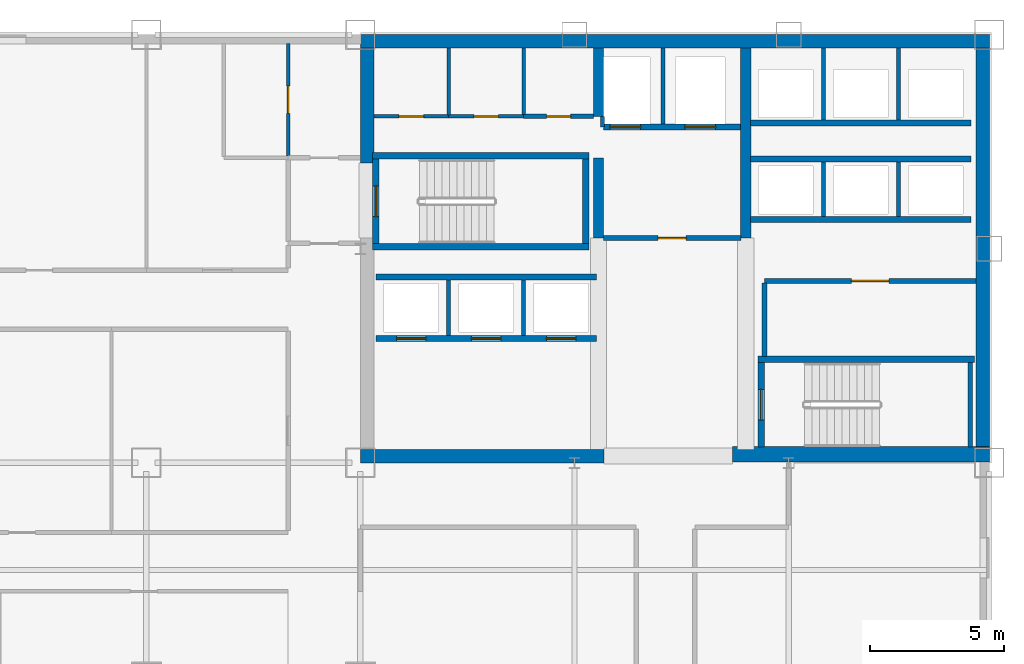
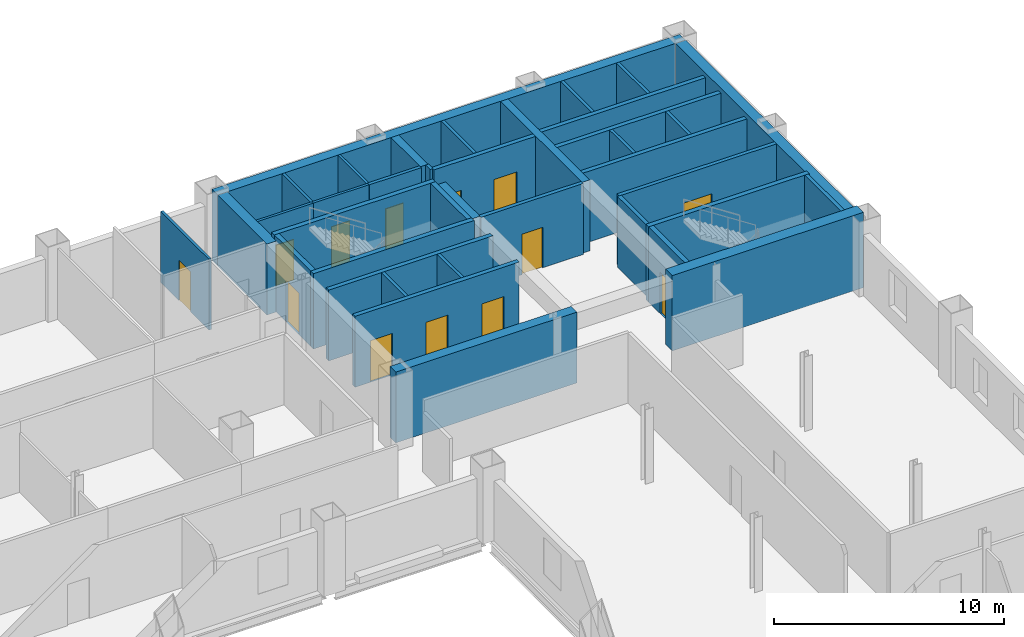
# One storey, part 7 of 10: 38 walls, 13 doors, 13 openings.
"""IFC4 building model written with IfcOpenShell, lengths in metres."""

from ifc_helpers import new_model, si_unit, direction, frame, frame_2d, origin, place, context, subcontext, project, spatial, rectangle, extrude, material, layer, layer_set, type_object, element, fill, save


model = new_model("IFC4")

# Units and contexts
model_context = context("Model", 3, precision=1e-05, world=origin(), true_north=direction((0.0, 1.0)))
body_context = subcontext(model_context, "Body", "Model", "MODEL_VIEW")
ifc_project = project(units=[si_unit("LENGTHUNIT", "METRE"), si_unit("AREAUNIT", "SQUARE_METRE"), si_unit("VOLUMEUNIT", "CUBIC_METRE"), si_unit("PLANEANGLEUNIT", "RADIAN"), si_unit("MASSUNIT", "GRAM", prefix="KILO")], contexts=[model_context])

# Site, building, storey
site_placement = place(None, origin())
site = spatial("IfcSite", under=ifc_project, at=site_placement, CompositionType="ELEMENT")
building_placement = place(site_placement, origin())
building = spatial("IfcBuilding", under=site, at=building_placement, Name="Qianrong Seaharbour Tower", CompositionType="ELEMENT")
storey_placement = place(building_placement, frame((0.0, 0.0, 139.0)))
storey = spatial("IfcBuildingStorey", under=building, at=storey_placement, Name="L33", CompositionType="ELEMENT", Elevation=139.0)

# Walls
ifc_material_1 = material(Name="Concrete C60/75", Category="concrete")
ifc_layer_1 = layer(ifc_material_1, 0.5)
ifc_layer_set_1 = layer_set([ifc_layer_1], Name="Concrete C60/75")
wall_type_1 = type_object("IfcWallType", Name="WALL-CORE-500", PredefinedType="SHEAR", material=ifc_layer_set_1)
wall_1_placement = place(storey_placement, frame((40.5, 51.75, 0.0), z_axis=(0.0, 0.0, 1.0), x_axis=(1.0, 0.0, 0.0)))
element("IfcWall", 1, at=wall_1_placement, inside=storey, type_object=wall_type_1, Name="L33 North Core Shear Wall", PredefinedType="SHEAR", context=body_context, shape_type="SweptSolid", body=[
    extrude(rectangle(XDim=23.5, YDim=0.5, at=frame_2d((11.75, 0.0))), origin(), (0.0, 0.0, 1.0), 3.764892578125),
])
wall_2_placement = place(storey_placement, frame((63.75, 36.320068359375, 0.0), z_axis=(0.0, 0.0, 1.0), x_axis=(0.0, 1.0, 0.0)))
element("IfcWall", 2, at=wall_2_placement, inside=storey, type_object=wall_type_1, Name="L33 East Core Shear Wall", PredefinedType="SHEAR", context=body_context, shape_type="SweptSolid", body=[
    extrude(rectangle(XDim=15.179931640625, YDim=0.5, at=frame_2d((7.58984375, 0.0))), origin(), (0.0, 0.0, 1.0), 3.764892578125),
])
wall_3_placement = place(storey_placement, frame((40.75, 47.199951171875, 0.0), z_axis=(0.0, 0.0, 1.0), x_axis=(0.0, 1.0, 0.0)))
element("IfcWall", 3, at=wall_3_placement, inside=storey, type_object=wall_type_1, Name="L33 West Core Shear Wall North", PredefinedType="SHEAR", context=body_context, shape_type="SweptSolid", body=[
    extrude(rectangle(XDim=4.300048828125, YDim=0.5, at=frame_2d((2.14990234375, 0.0))), origin(), (0.0, 0.0, 1.0), 3.764892578125),
])
wall_4_placement = place(storey_placement, frame((40.5, 36.25, 0.0), z_axis=(0.0, 0.0, 1.0), x_axis=(1.0, 0.0, 0.0)))
element("IfcWall", 4, at=wall_4_placement, inside=storey, type_object=wall_type_1, Name="L33 South Core Shear Wall S1", PredefinedType="SHEAR", context=body_context, shape_type="SweptSolid", body=[
    extrude(rectangle(XDim=9.10009765625, YDim=0.5, at=frame_2d((4.550048828125, 0.0))), origin(), (0.0, 0.0, 1.0), 3.764892578125),
])
ifc_material_2 = material(Name="Concrete C70/85", Category="concrete")
ifc_layer_2 = layer(ifc_material_2, 0.580078125)
ifc_layer_set_2 = layer_set([ifc_layer_2], Name="Concrete C70/85")
wall_type_2 = type_object("IfcWallType", Name="WALL-CORE-580", PredefinedType="SHEAR", material=ifc_layer_set_2)
wall_5_placement = place(storey_placement, frame((54.39990234375, 36.320068359375, 0.0), z_axis=(0.0, 0.0, 1.0), x_axis=(1.0, 0.0, 0.0)))
element("IfcWall", 5, at=wall_5_placement, inside=storey, type_object=wall_type_2, Name="L33 South Core Shear Wall S3", PredefinedType="SHEAR", context=body_context, shape_type="SweptSolid", body=[
    extrude(rectangle(XDim=9.60009765625, YDim=0.580078125, at=frame_2d((4.800048828125, 0.0))), origin(), (0.0, 0.0, 1.0), 4.0),
])
ifc_layer_3 = layer(ifc_material_1, 0.3798828125)
ifc_layer_set_3 = layer_set([ifc_layer_3], Name="Concrete C60/75")
wall_type_3 = type_object("IfcWallType", Name="WALL-CORE-INT-380", PredefinedType="SHEAR", material=ifc_layer_set_3)
wall_6_placement = place(storey_placement, frame((49.39990234375, 44.39990234375, 0.0), z_axis=(0.0, 0.0, 1.0), x_axis=(0.0, 1.0, 0.0)))
element("IfcWall", 6, at=wall_6_placement, inside=storey, type_object=wall_type_3, Name="L33 Internal Core Shear Wall IW1N1", PredefinedType="SHEAR", context=body_context, shape_type="SweptSolid", body=[
    extrude(rectangle(XDim=3.0, YDim=0.3798828125, at=frame_2d((1.5, 0.0))), origin(), (0.0, 0.0, 1.0), 3.764892578125),
])
wall_7_placement = place(storey_placement, frame((49.39990234375, 48.949951171875, 0.0), z_axis=(0.0, 0.0, 1.0), x_axis=(0.0, 1.0, 0.0)))
element("IfcWall", 7, at=wall_7_placement, inside=storey, type_object=wall_type_3, Name="L33 Internal Core Shear Wall IW1N2", PredefinedType="SHEAR", context=body_context, shape_type="SweptSolid", body=[
    extrude(rectangle(XDim=2.550048828125, YDim=0.3798828125, at=frame_2d((1.27490234375, 0.0))), origin(), (0.0, 0.0, 1.0), 3.764892578125),
])
wall_8_placement = place(storey_placement, frame((54.89990234375, 44.39990234375, 0.0), z_axis=(0.0, 0.0, 1.0), x_axis=(0.0, 1.0, 0.0)))
element("IfcWall", 8, at=wall_8_placement, inside=storey, type_object=wall_type_3, Name="L33 Internal Core Shear Wall IW2N", PredefinedType="SHEAR", context=body_context, shape_type="SweptSolid", body=[
    extrude(rectangle(XDim=7.10009765625, YDim=0.3798828125, at=frame_2d((3.550048828125, 0.0))), origin(), (0.0, 0.0, 1.0), 3.764892578125),
])

# Wall, opening, door
ifc_material_3 = material(Name="Fire-rated acoustic gypsum board partition")
ifc_layer_4 = layer(ifc_material_3, 0.1650390625)
ifc_layer_set_4 = layer_set([ifc_layer_4], Name="Fire-rated acoustic gypsum board partition")
wall_type_4 = type_object("IfcWallType", Name="WALL-CORR-PART-165", PredefinedType="PARTITIONING", material=ifc_layer_set_4)
wall_9_placement = place(storey_placement, frame((46.60009765625, 48.949951171875, 0.0), z_axis=(0.0, 0.0, 1.0), x_axis=(1.0, 0.0, 0.0)))
wall_9 = element("IfcWall", 9, at=wall_9_placement, inside=storey, type_object=wall_type_4, Name="L33 Interior Partition Wall 009", PredefinedType="PARTITIONING", context=body_context, shape_type="SweptSolid", body=[
    extrude(rectangle(XDim=2.617919921875, YDim=0.1650390625, at=frame_2d((1.30908203125, 0.0))), origin(), (0.0, 0.0, 1.0), 3.764892578125),
])
opening_1_placement = place(wall_9_placement, frame((0.85888671875, 0.0, 0.0)))
opening_1 = element("IfcOpeningElement", 10, at=opening_1_placement, cuts=wall_9, Name="Opening DS-01", PredefinedType="OPENING", context=body_context, shape_type="SweptSolid", body=[
    extrude(rectangle(XDim=0.89990234375, YDim=2.14990234375, at=frame_2d((0.449951171875, 1.074951171875))), frame((0.0, 0.092529296875, 0.0), z_axis=(0.0, -1.0, 0.0), x_axis=(1.0, 0.0, 0.0)), (0.0, 0.0, 1.0), 0.18505859375),
])
ifc_material_4 = material(Name="Acoustic timber and galvanized steel fire door assembly", Category="steel")
door_type_1 = type_object("IfcDoorType", Name="DOOR-STORE-900x2150", OperationType="NOTDEFINED", PredefinedType="DOOR", material=ifc_material_4)
door_1_placement = place(opening_1_placement, origin())
door_1 = element("IfcDoor", 11, at=door_1_placement, inside=storey, type_object=door_type_1, Name="L33 Cleaner Store Room Door", OperationType="SINGLE_SWING_RIGHT", OverallHeight=2.14990234375, OverallWidth=0.89990234375, PredefinedType="DOOR", context=body_context, shape_type="SweptSolid", body=[
    extrude(rectangle(XDim=0.89990234375, YDim=2.14990234375, at=frame_2d((0.449951171875, 1.074951171875))), frame((0.0, 0.02490234375, 0.0), z_axis=(0.0, -1.0, 0.0), x_axis=(1.0, 0.0, 0.0)), (0.0, 0.0, 1.0), 0.050048828125),
])
fill(opening_1, door_1)

ifc_material_5 = material(Name="Double fire-rated gypsum board acoustic partition")
ifc_layer_5 = layer(ifc_material_5, 0.18994140625)
ifc_layer_set_5 = layer_set([ifc_layer_5], Name="Double fire-rated gypsum board acoustic partition")
wall_type_5 = type_object("IfcWallType", Name="WALL-FIRE-PART-190", PredefinedType="PARTITIONING", material=ifc_layer_set_5)
wall_10_placement = place(storey_placement, frame((54.718017578125, 44.39990234375, 0.0), z_axis=(0.0, 0.0, 1.0), x_axis=(-1.0, 0.0, 0.0)))
wall_10 = element("IfcWall", 12, at=wall_10_placement, inside=storey, type_object=wall_type_5, Name="L33 Interior Partition Wall 010", PredefinedType="PARTITIONING", context=body_context, shape_type="SweptSolid", body=[
    extrude(rectangle(XDim=5.135986328125, YDim=0.18994140625, at=frame_2d((2.56787109375, 0.0))), origin(), (0.0, 0.0, 1.0), 3.764892578125),
])
opening_2_placement = place(wall_10_placement, frame((2.04296875, 0.0, 0.0)))
opening_2 = element("IfcOpeningElement", 13, at=opening_2_placement, cuts=wall_10, Name="Opening DC-01", PredefinedType="OPENING", context=body_context, shape_type="SweptSolid", body=[
    extrude(rectangle(XDim=1.050048828125, YDim=2.14990234375, at=frame_2d((0.52490234375, 1.074951171875))), frame((0.0, 0.10498046875, 0.0), z_axis=(0.0, -1.0, 0.0), x_axis=(1.0, 0.0, 0.0)), (0.0, 0.0, 1.0), 0.2099609375),
])
door_type_2 = type_object("IfcDoorType", Name="DOOR-CORR-FD60-1050x2150", OperationType="NOTDEFINED", PredefinedType="DOOR", material=ifc_material_4)
door_2_placement = place(opening_2_placement, origin())
door_2 = element("IfcDoor", 14, at=door_2_placement, inside=storey, type_object=door_type_2, Name="L33 Firefighting Lift Lobby Door", OperationType="SINGLE_SWING_LEFT", OverallHeight=2.14990234375, OverallWidth=1.050048828125, PredefinedType="DOOR", context=body_context, shape_type="SweptSolid", body=[
    extrude(rectangle(XDim=1.050048828125, YDim=2.14990234375, at=frame_2d((0.52490234375, 1.074951171875))), frame((0.0, 0.02490234375, 0.0), z_axis=(0.0, -1.0, 0.0), x_axis=(1.0, 0.0, 0.0)), (0.0, 0.0, 1.0), 0.050048828125),
])
fill(opening_2, door_2)

# Wall
wall_11_placement = place(storey_placement, frame((55.60009765625, 42.712890625, 0.0), z_axis=(0.0, 0.0, 1.0), x_axis=(0.0, -1.0, 0.0)))
element("IfcWall", 15, at=wall_11_placement, inside=storey, type_object=wall_type_5, Name="L33 Interior Partition Wall 011", PredefinedType="PARTITIONING", context=body_context, shape_type="SweptSolid", body=[
    extrude(rectangle(XDim=2.73095703125, YDim=0.18994140625, at=frame_2d((1.365478515625, 0.0))), origin(), (0.0, 0.0, 1.0), 3.764892578125),
])

# Wall, opening, door
wall_12_placement = place(storey_placement, frame((63.5, 42.800048828125, 0.0), z_axis=(0.0, 0.0, 1.0), x_axis=(-1.0, 0.0, 0.0)))
wall_12 = element("IfcWall", 16, at=wall_12_placement, inside=storey, type_object=wall_type_5, Name="L33 Interior Partition Wall 012", PredefinedType="PARTITIONING", context=body_context, shape_type="SweptSolid", body=[
    extrude(rectangle(XDim=7.89990234375, YDim=0.18994140625, at=frame_2d((3.949951171875, 0.0))), origin(), (0.0, 0.0, 1.0), 3.764892578125),
])
opening_3_placement = place(wall_12_placement, frame((3.25, 0.0, 0.0)))
opening_3 = element("IfcOpeningElement", 17, at=opening_3_placement, cuts=wall_12, Name="Opening DP-01", PredefinedType="OPENING", context=body_context, shape_type="SweptSolid", body=[
    extrude(rectangle(XDim=1.39990234375, YDim=2.25, at=frame_2d((0.699951171875, 1.125))), frame((0.0, 0.10498046875, 0.0), z_axis=(0.0, -1.0, 0.0), x_axis=(1.0, 0.0, 0.0)), (0.0, 0.0, 1.0), 0.2099609375),
])
door_type_3 = type_object("IfcDoorType", Name="DOOR-PLANT-PAIR-1400x2250", OperationType="DOUBLE_DOOR_SINGLE_SWING", PredefinedType="DOOR", material=ifc_material_4)
door_3_placement = place(opening_3_placement, origin())
door_3 = element("IfcDoor", 18, at=door_3_placement, inside=storey, type_object=door_type_3, Name="L33 Core Telecom Hub Room Door", OperationType="DOUBLE_DOOR_SINGLE_SWING", OverallHeight=2.25, OverallWidth=1.39990234375, PredefinedType="DOOR", context=body_context, shape_type="SweptSolid", body=[
    extrude(rectangle(XDim=1.39990234375, YDim=2.25, at=frame_2d((0.699951171875, 1.125))), frame((0.0, 0.02490234375, 0.0), z_axis=(0.0, -1.0, 0.0), x_axis=(1.0, 0.0, 0.0)), (0.0, 0.0, 1.0), 0.050048828125),
])
fill(opening_3, door_3)

# Walls
ifc_material_6 = material(Name="Fire-rated gypsum board on steel studs", Category="steel")
ifc_layer_6 = layer(ifc_material_6, 0.14990234375)
ifc_layer_set_6 = layer_set([ifc_layer_6], Name="Fire-rated gypsum board on steel studs")
wall_type_6 = type_object("IfcWallType", Name="WALL-SHAFT-DIV-150", PredefinedType="PARTITIONING", material=ifc_layer_set_6)
wall_13_placement = place(storey_placement, frame((51.800048828125, 48.669921875, 0.0), z_axis=(0.0, 0.0, 1.0), x_axis=(0.0, 1.0, 0.0)))
element("IfcWall", 19, at=wall_13_placement, inside=storey, type_object=wall_type_6, Name="L33 Firefighting Lift Shaft Divider Wall", PredefinedType="PARTITIONING", context=body_context, shape_type="SweptSolid", body=[
    extrude(rectangle(XDim=2.830078125, YDim=0.14990234375, at=frame_2d((1.4150390625, 0.0))), origin(), (0.0, 0.0, 1.0), 3.764892578125),
])
wall_14_placement = place(storey_placement, frame((49.550048828125, 48.550048828125, 0.0), z_axis=(0.0, 0.0, 1.0), x_axis=(0.0, 1.0, 0.0)))
element("IfcWall", 20, at=wall_14_placement, inside=storey, type_object=wall_type_6, Name="L33 Firefighting Lift Shaft West Return Wall", PredefinedType="PARTITIONING", context=body_context, shape_type="SweptSolid", body=[
    extrude(rectangle(XDim=0.39990234375, YDim=0.14990234375, at=frame_2d((0.199951171875, 0.0))), origin(), (0.0, 0.0, 1.0), 3.764892578125),
])
for number, where, z_axis, x_axis, name in (
    (21, (43.800048828125, 40.760009765625, 0.0), (0.0, 0.0, 1.0), (0.0, 1.0, 0.0), "L33 P2 Lift Hoistway Divider 2"),
    (22, (46.60009765625, 40.760009765625, 0.0), (0.0, 0.0, 1.0), (0.0, 1.0, 0.0), "L33 P2 Lift Hoistway Divider 3"),
):
    element("IfcWall", number, at=place(storey_placement, frame(where, z_axis=z_axis, x_axis=x_axis)), inside=storey, type_object=wall_type_6, Name=name, PredefinedType="PARTITIONING", context=body_context, shape_type="SweptSolid", body=[
        extrude(rectangle(XDim=2.080078125, YDim=0.14990234375, at=frame_2d((1.0400390625, 0.0))), origin(), (0.0, 0.0, 1.0), 3.764892578125),
    ])
for number, where, z_axis, x_axis, name in (
    (23, (57.800048828125, 45.2099609375, 0.0), (0.0, 0.0, 1.0), (0.0, 1.0, 0.0), "L33 P3 Lift Hoistway Divider 2"),
    (24, (60.60009765625, 45.2099609375, 0.0), (0.0, 0.0, 1.0), (0.0, 1.0, 0.0), "L33 P3 Lift Hoistway Divider 3"),
):
    element("IfcWall", number, at=place(storey_placement, frame(where, z_axis=z_axis, x_axis=x_axis)), inside=storey, type_object=wall_type_6, Name=name, PredefinedType="PARTITIONING", context=body_context, shape_type="SweptSolid", body=[
        extrude(rectangle(XDim=2.030029296875, YDim=0.14990234375, at=frame_2d((1.01513671875, 0.0))), origin(), (0.0, 0.0, 1.0), 3.764892578125),
    ])
for number, where, z_axis, x_axis, name in (
    (25, (57.800048828125, 48.81005859375, 0.0), (0.0, 0.0, 1.0), (0.0, 1.0, 0.0), "L33 P4 Lift Hoistway Divider 2"),
    (26, (60.60009765625, 48.81005859375, 0.0), (0.0, 0.0, 1.0), (0.0, 1.0, 0.0), "L33 P4 Lift Hoistway Divider 3"),
):
    element("IfcWall", number, at=place(storey_placement, frame(where, z_axis=z_axis, x_axis=x_axis)), inside=storey, type_object=wall_type_6, Name=name, PredefinedType="PARTITIONING", context=body_context, shape_type="SweptSolid", body=[
        extrude(rectangle(XDim=2.68994140625, YDim=0.14990234375, at=frame_2d((1.344970703125, 0.0))), origin(), (0.0, 0.0, 1.0), 3.764892578125),
    ])

# Wall, openings, doors
ifc_layer_7 = layer(ifc_material_6, 0.219970703125)
ifc_layer_set_7 = layer_set([ifc_layer_7], Name="Fire-rated gypsum board on steel studs")
wall_type_7 = type_object("IfcWallType", Name="WALL-SHAFT-GYP220", PredefinedType="PARTITIONING", material=ifc_layer_set_7)
wall_15_placement = place(storey_placement, frame((54.7099609375, 48.550048828125, 0.0), z_axis=(0.0, 0.0, 1.0), x_axis=(-1.0, 0.0, 0.0)))
wall_15 = element("IfcWall", 27, at=wall_15_placement, inside=storey, type_object=wall_type_7, Name="L33 Firefighting Lift Shaft Front Wall", PredefinedType="PARTITIONING", context=body_context, shape_type="SweptSolid", body=[
    extrude(rectangle(XDim=5.119873046875, YDim=0.219970703125, at=frame_2d((2.56005859375, 0.0))), origin(), (0.0, 0.0, 1.0), 3.764892578125),
])
opening_4_placement = place(wall_15_placement, frame((3.735107421875, 0.0, 0.0)))
opening_4 = element("IfcOpeningElement", 28, at=opening_4_placement, cuts=wall_15, Name="Opening LD-01", PredefinedType="OPENING", context=body_context, shape_type="SweptSolid", body=[
    extrude(rectangle(XDim=1.14990234375, YDim=2.199951171875, at=frame_2d((0.574951171875, 1.10009765625))), frame((0.0, 0.1201171875, 0.0), z_axis=(0.0, -1.0, 0.0), x_axis=(1.0, 0.0, 0.0)), (0.0, 0.0, 1.0), 0.239990234375),
])
opening_5_placement = place(wall_15_placement, frame((0.93505859375, 0.0, 0.0)))
opening_5 = element("IfcOpeningElement", 29, at=opening_5_placement, cuts=wall_15, Name="Opening LD-01", PredefinedType="OPENING", context=body_context, shape_type="SweptSolid", body=[
    extrude(rectangle(XDim=1.14990234375, YDim=2.199951171875, at=frame_2d((0.574951171875, 1.10009765625))), frame((0.0, 0.1201171875, 0.0), z_axis=(0.0, -1.0, 0.0), x_axis=(1.0, 0.0, 0.0)), (0.0, 0.0, 1.0), 0.239990234375),
])
ifc_material_7 = material(Name="Stainless steel SUS316L bi-parting lift landing door", Category="steel")
door_type_4 = type_object("IfcDoorType", Name="DOOR-LIFT-FF-1150x2200", OperationType="DOUBLE_DOOR_SLIDING", PredefinedType="DOOR", material=ifc_material_7)
door_4_placement = place(opening_4_placement, origin())
door_4 = element("IfcDoor", 30, at=door_4_placement, inside=storey, type_object=door_type_4, Name="L33 FL-1 Firefighting Lift Landing Door", OperationType="DOUBLE_DOOR_SLIDING", OverallHeight=2.199951171875, OverallWidth=1.14990234375, PredefinedType="DOOR", context=body_context, shape_type="SweptSolid", body=[
    extrude(rectangle(XDim=1.14990234375, YDim=2.199951171875, at=frame_2d((0.574951171875, 1.10009765625))), frame((0.0, 0.02490234375, 0.0), z_axis=(0.0, -1.0, 0.0), x_axis=(1.0, 0.0, 0.0)), (0.0, 0.0, 1.0), 0.050048828125),
])
fill(opening_4, door_4)
door_5_placement = place(opening_5_placement, origin())
door_5 = element("IfcDoor", 31, at=door_5_placement, inside=storey, type_object=door_type_4, Name="L33 FL-2 Firefighting Lift Landing Door", OperationType="DOUBLE_DOOR_SLIDING", OverallHeight=2.199951171875, OverallWidth=1.14990234375, PredefinedType="DOOR", context=body_context, shape_type="SweptSolid", body=[
    extrude(rectangle(XDim=1.14990234375, YDim=2.199951171875, at=frame_2d((0.574951171875, 1.10009765625))), frame((0.0, 0.02490234375, 0.0), z_axis=(0.0, -1.0, 0.0), x_axis=(1.0, 0.0, 0.0)), (0.0, 0.0, 1.0), 0.050048828125),
])
fill(opening_5, door_5)

wall_16_placement = place(storey_placement, frame((49.320068359375, 40.64990234375, 0.0), z_axis=(0.0, 0.0, 1.0), x_axis=(-1.0, 0.0, 0.0)))
wall_16 = element("IfcWall", 32, at=wall_16_placement, inside=storey, type_object=wall_type_7, Name="L33 P2 Lift Hoistway Front Wall", PredefinedType="PARTITIONING", context=body_context, shape_type="SweptSolid", body=[
    extrude(rectangle(XDim=8.239990234375, YDim=0.219970703125, at=frame_2d((4.1201171875, 0.0))), origin(), (0.0, 0.0, 1.0), 3.764892578125),
])
opening_6_placement = place(wall_16_placement, frame((6.3701171875, 0.0, 0.0)))
opening_6 = element("IfcOpeningElement", 33, at=opening_6_placement, cuts=wall_16, Name="Opening LD-02", PredefinedType="OPENING", context=body_context, shape_type="SweptSolid", body=[
    extrude(rectangle(XDim=1.10009765625, YDim=2.199951171875, at=frame_2d((0.550048828125, 1.10009765625))), frame((0.0, 0.1201171875, 0.0), z_axis=(0.0, -1.0, 0.0), x_axis=(1.0, 0.0, 0.0)), (0.0, 0.0, 1.0), 0.239990234375),
])
opening_7_placement = place(wall_16_placement, frame((3.570068359375, 0.0, 0.0)))
opening_7 = element("IfcOpeningElement", 34, at=opening_7_placement, cuts=wall_16, Name="Opening LD-02", PredefinedType="OPENING", context=body_context, shape_type="SweptSolid", body=[
    extrude(rectangle(XDim=1.10009765625, YDim=2.199951171875, at=frame_2d((0.550048828125, 1.10009765625))), frame((0.0, 0.1201171875, 0.0), z_axis=(0.0, -1.0, 0.0), x_axis=(1.0, 0.0, 0.0)), (0.0, 0.0, 1.0), 0.239990234375),
])
opening_8_placement = place(wall_16_placement, frame((0.77001953125, 0.0, 0.0)))
opening_8 = element("IfcOpeningElement", 35, at=opening_8_placement, cuts=wall_16, Name="Opening LD-02", PredefinedType="OPENING", context=body_context, shape_type="SweptSolid", body=[
    extrude(rectangle(XDim=1.10009765625, YDim=2.199951171875, at=frame_2d((0.550048828125, 1.10009765625))), frame((0.0, 0.1201171875, 0.0), z_axis=(0.0, -1.0, 0.0), x_axis=(1.0, 0.0, 0.0)), (0.0, 0.0, 1.0), 0.239990234375),
])
door_type_5 = type_object("IfcDoorType", Name="DOOR-LIFT-PASS-1100x2200", OperationType="DOUBLE_DOOR_SLIDING", PredefinedType="DOOR", material=ifc_material_7)
door_6_placement = place(opening_6_placement, origin())
door_6 = element("IfcDoor", 36, at=door_6_placement, inside=storey, type_object=door_type_5, Name="L33 PL-2A Lift Landing Door", OperationType="DOUBLE_DOOR_SLIDING", OverallHeight=2.199951171875, OverallWidth=1.10009765625, PredefinedType="DOOR", context=body_context, shape_type="SweptSolid", body=[
    extrude(rectangle(XDim=1.10009765625, YDim=2.199951171875, at=frame_2d((0.550048828125, 1.10009765625))), frame((0.0, 0.02490234375, 0.0), z_axis=(0.0, -1.0, 0.0), x_axis=(1.0, 0.0, 0.0)), (0.0, 0.0, 1.0), 0.050048828125),
])
fill(opening_6, door_6)
door_7_placement = place(opening_7_placement, origin())
door_7 = element("IfcDoor", 37, at=door_7_placement, inside=storey, type_object=door_type_5, Name="L33 PL-2B Lift Landing Door", OperationType="DOUBLE_DOOR_SLIDING", OverallHeight=2.199951171875, OverallWidth=1.10009765625, PredefinedType="DOOR", context=body_context, shape_type="SweptSolid", body=[
    extrude(rectangle(XDim=1.10009765625, YDim=2.199951171875, at=frame_2d((0.550048828125, 1.10009765625))), frame((0.0, 0.02490234375, 0.0), z_axis=(0.0, -1.0, 0.0), x_axis=(1.0, 0.0, 0.0)), (0.0, 0.0, 1.0), 0.050048828125),
])
fill(opening_7, door_7)
door_8_placement = place(opening_8_placement, origin())
door_8 = element("IfcDoor", 38, at=door_8_placement, inside=storey, type_object=door_type_5, Name="L33 PL-2C Lift Landing Door", OperationType="DOUBLE_DOOR_SLIDING", OverallHeight=2.199951171875, OverallWidth=1.10009765625, PredefinedType="DOOR", context=body_context, shape_type="SweptSolid", body=[
    extrude(rectangle(XDim=1.10009765625, YDim=2.199951171875, at=frame_2d((0.550048828125, 1.10009765625))), frame((0.0, 0.02490234375, 0.0), z_axis=(0.0, -1.0, 0.0), x_axis=(1.0, 0.0, 0.0)), (0.0, 0.0, 1.0), 0.050048828125),
])
fill(opening_8, door_8)

# Walls
for number, where, z_axis, x_axis, name in (
    (39, (41.080078125, 42.949951171875, 0.0), (0.0, 0.0, 1.0), (1.0, 0.0, 0.0), "L33 P2 Lift Hoistway Back Wall"),
    (40, (63.320068359375, 45.10009765625, 0.0), (0.0, 0.0, 1.0), (-1.0, 0.0, 0.0), "L33 P3 Lift Hoistway Front Wall"),
    (41, (55.080078125, 47.35009765625, 0.0), (0.0, 0.0, 1.0), (1.0, 0.0, 0.0), "L33 P3 Lift Hoistway Back Wall"),
    (42, (63.320068359375, 48.699951171875, 0.0), (0.0, 0.0, 1.0), (-1.0, 0.0, 0.0), "L33 P4 Lift Hoistway Front Wall"),
):
    element("IfcWall", number, at=place(storey_placement, frame(where, z_axis=z_axis, x_axis=x_axis)), inside=storey, type_object=wall_type_7, Name=name, PredefinedType="PARTITIONING", context=body_context, shape_type="SweptSolid", body=[
        extrude(rectangle(XDim=8.239990234375, YDim=0.219970703125, at=frame_2d((4.1201171875, 0.0))), origin(), (0.0, 0.0, 1.0), 3.764892578125),
    ])
ifc_material_8 = material(Name="Concrete C50/60", Category="concrete")
ifc_layer_8 = layer(ifc_material_8, 0.239990234375)
ifc_layer_set_8 = layer_set([ifc_layer_8], Name="Concrete C50/60")
wall_type_8 = type_object("IfcWallType", Name="WALL-SHAFT-RC240", PredefinedType="SOLIDWALL", material=ifc_layer_set_8)
for number, where, z_axis, x_axis, name in (
    (43, (40.9599609375, 47.469970703125, 0.0), (0.0, 0.0, 1.0), (1.0, 0.0, 0.0), "L33 ST-1 Structural Stair Core Wall N"),
    (44, (49.0400390625, 44.080078125, 0.0), (0.0, 0.0, 1.0), (-1.0, 0.0, 0.0), "L33 ST-1 Structural Stair Core Wall S"),
):
    element("IfcWall", number, at=place(storey_placement, frame(where, z_axis=z_axis, x_axis=x_axis)), inside=storey, type_object=wall_type_8, Name=name, PredefinedType="SOLIDWALL", context=body_context, shape_type="SweptSolid", body=[
        extrude(rectangle(XDim=8.080078125, YDim=0.239990234375, at=frame_2d((4.0400390625, 0.0))), origin(), (0.0, 0.0, 1.0), 4.0),
    ])

# Wall, opening, door
wall_17_placement = place(storey_placement, frame((41.080078125, 47.35009765625, 0.0), z_axis=(0.0, 0.0, 1.0), x_axis=(0.0, -1.0, 0.0)))
wall_17 = element("IfcWall", 45, at=wall_17_placement, inside=storey, type_object=wall_type_8, Name="L33 ST-1 Structural Stair Core Wall W", PredefinedType="SOLIDWALL", context=body_context, shape_type="SweptSolid", body=[
    extrude(rectangle(XDim=3.150146484375, YDim=0.239990234375, at=frame_2d((1.5751953125, 0.0))), origin(), (0.0, 0.0, 1.0), 4.0),
])
opening_9_placement = place(wall_17_placement, frame((1.0, 0.0, 0.0)))
opening_9 = element("IfcOpeningElement", 46, at=opening_9_placement, cuts=wall_17, Name="Opening SD-01", PredefinedType="OPENING", context=body_context, shape_type="SweptSolid", body=[
    extrude(rectangle(XDim=1.14990234375, YDim=2.199951171875, at=frame_2d((0.574951171875, 1.10009765625))), frame((0.0, 0.1298828125, 0.0), z_axis=(0.0, -1.0, 0.0), x_axis=(1.0, 0.0, 0.0)), (0.0, 0.0, 1.0), 0.260009765625),
])
door_type_6 = type_object("IfcDoorType", Name="DOOR-STAIR-FD60-1150x2200", OperationType="NOTDEFINED", PredefinedType="DOOR", material=ifc_material_4)
door_9_placement = place(opening_9_placement, origin())
door_9 = element("IfcDoor", 47, at=door_9_placement, inside=storey, type_object=door_type_6, Name="L33 ST-1 Protected Stair Door", OperationType="SINGLE_SWING_RIGHT", OverallHeight=2.199951171875, OverallWidth=1.14990234375, PredefinedType="DOOR", context=body_context, shape_type="SweptSolid", body=[
    extrude(rectangle(XDim=1.14990234375, YDim=2.199951171875, at=frame_2d((0.574951171875, 1.10009765625))), frame((0.0, 0.02490234375, 0.0), z_axis=(0.0, -1.0, 0.0), x_axis=(1.0, 0.0, 0.0)), (0.0, 0.0, 1.0), 0.050048828125),
])
fill(opening_9, door_9)

# Walls
wall_18_placement = place(storey_placement, frame((48.919921875, 44.199951171875, 0.0), z_axis=(0.0, 0.0, 1.0), x_axis=(0.0, 1.0, 0.0)))
element("IfcWall", 48, at=wall_18_placement, inside=storey, type_object=wall_type_8, Name="L33 ST-1 Structural Stair Core Wall E", PredefinedType="SOLIDWALL", context=body_context, shape_type="SweptSolid", body=[
    extrude(rectangle(XDim=3.150146484375, YDim=0.239990234375, at=frame_2d((1.5751953125, 0.0))), origin(), (0.0, 0.0, 1.0), 4.0),
])
wall_19_placement = place(storey_placement, frame((55.360107421875, 39.8701171875, 0.0), z_axis=(0.0, 0.0, 1.0), x_axis=(1.0, 0.0, 0.0)))
element("IfcWall", 49, at=wall_19_placement, inside=storey, type_object=wall_type_8, Name="L33 ST-2 Structural Stair Core Wall N", PredefinedType="SOLIDWALL", context=body_context, shape_type="SweptSolid", body=[
    extrude(rectangle(XDim=8.079833984375, YDim=0.239990234375, at=frame_2d((4.0400390625, 0.0))), origin(), (0.0, 0.0, 1.0), 4.0),
])

# Wall, opening, door
wall_20_placement = place(storey_placement, frame((55.47998046875, 39.75, 0.0), z_axis=(0.0, 0.0, 1.0), x_axis=(0.0, -1.0, 0.0)))
wall_20 = element("IfcWall", 50, at=wall_20_placement, inside=storey, type_object=wall_type_8, Name="L33 ST-2 Structural Stair Core Wall W", PredefinedType="SOLIDWALL", context=body_context, shape_type="SweptSolid", body=[
    extrude(rectangle(XDim=3.14990234375, YDim=0.239990234375, at=frame_2d((1.574951171875, 0.0))), origin(), (0.0, 0.0, 1.0), 4.0),
])
opening_10_placement = place(wall_20_placement, frame((1.0, 0.0, 0.0)))
opening_10 = element("IfcOpeningElement", 51, at=opening_10_placement, cuts=wall_20, Name="Opening SD-01", PredefinedType="OPENING", context=body_context, shape_type="SweptSolid", body=[
    extrude(rectangle(XDim=1.14990234375, YDim=2.199951171875, at=frame_2d((0.574951171875, 1.10009765625))), frame((0.0, 0.1298828125, 0.0), z_axis=(0.0, -1.0, 0.0), x_axis=(1.0, 0.0, 0.0)), (0.0, 0.0, 1.0), 0.260009765625),
])
door_10_placement = place(opening_10_placement, origin())
door_10 = element("IfcDoor", 52, at=door_10_placement, inside=storey, type_object=door_type_6, Name="L33 ST-2 Protected Stair Door", OperationType="SINGLE_SWING_RIGHT", OverallHeight=2.199951171875, OverallWidth=1.14990234375, PredefinedType="DOOR", context=body_context, shape_type="SweptSolid", body=[
    extrude(rectangle(XDim=1.14990234375, YDim=2.199951171875, at=frame_2d((0.574951171875, 1.10009765625))), frame((0.0, 0.02490234375, 0.0), z_axis=(0.0, -1.0, 0.0), x_axis=(1.0, 0.0, 0.0)), (0.0, 0.0, 1.0), 0.050048828125),
])
fill(opening_10, door_10)

# Wall
wall_21_placement = place(storey_placement, frame((63.2900390625, 36.60009765625, 0.0), z_axis=(0.0, 0.0, 1.0), x_axis=(0.0, 1.0, 0.0)))
element("IfcWall", 53, at=wall_21_placement, inside=storey, type_object=wall_type_8, Name="L33 ST-2 Structural Stair Core Wall E", PredefinedType="SOLIDWALL", context=body_context, shape_type="SweptSolid", body=[
    extrude(rectangle(XDim=3.14990234375, YDim=0.179931640625, at=frame_2d((1.574951171875, 0.0))), origin(), (0.0, 0.0, 1.0), 4.0),
])

# Wall, opening, door
ifc_material_9 = material(Name="Water-resistant cement board sanitary partition")
ifc_layer_9 = layer(ifc_material_9, 0.1298828125)
ifc_layer_set_9 = layer_set([ifc_layer_9], Name="Water-resistant cement board sanitary partition")
wall_type_9 = type_object("IfcWallType", Name="WALL-WET-PART-130", PredefinedType="PARTITIONING", material=ifc_layer_set_9)
wall_22_placement = place(storey_placement, frame((37.800048828125, 47.474609375, 0.0), z_axis=(0.0, 0.0, 1.0), x_axis=(0.0, 1.0, 0.0)))
wall_22 = element("IfcWall", 54, at=wall_22_placement, inside=storey, type_object=wall_type_9, Name="L33 Interior Partition Wall 004", PredefinedType="PARTITIONING", context=body_context, shape_type="SweptSolid", body=[
    extrude(rectangle(XDim=4.193359375, YDim=0.1298828125, at=frame_2d((2.0966796875, 0.0))), origin(), (0.0, 0.0, 1.0), 3.764892578125),
])
opening_11_placement = place(wall_22_placement, frame((1.5869140625, 0.0, 0.0)))
opening_11 = element("IfcOpeningElement", 55, at=opening_11_placement, cuts=wall_22, Name="Opening DAW-01", PredefinedType="OPENING", context=body_context, shape_type="SweptSolid", body=[
    extrude(rectangle(XDim=1.02001953125, YDim=2.14990234375, at=frame_2d((0.510009765625, 1.074951171875))), frame((0.0, 0.074951171875, 0.0), z_axis=(0.0, -1.0, 0.0), x_axis=(1.0, 0.0, 0.0)), (0.0, 0.0, 1.0), 0.14990234375),
])
door_type_7 = type_object("IfcDoorType", Name="DOOR-AWC-SLIDE-1020x2150", OperationType="SLIDING_TO_LEFT", PredefinedType="DOOR", material=ifc_material_4)
door_11_placement = place(opening_11_placement, origin())
door_11 = element("IfcDoor", 56, at=door_11_placement, inside=storey, type_object=door_type_7, Name="L33 Accessible Restroom WC Door", OperationType="SLIDING_TO_LEFT", OverallHeight=2.14990234375, OverallWidth=1.02001953125, PredefinedType="DOOR", context=body_context, shape_type="SweptSolid", body=[
    extrude(rectangle(XDim=1.02001953125, YDim=2.14990234375, at=frame_2d((0.510009765625, 1.074951171875))), frame((0.0, 0.02490234375, 0.0), z_axis=(0.0, -1.0, 0.0), x_axis=(1.0, 0.0, 0.0)), (0.0, 0.0, 1.0), 0.050048828125),
])
fill(opening_11, door_11)

wall_23_placement = place(storey_placement, frame((41.0, 48.949951171875, 0.0), z_axis=(0.0, 0.0, 1.0), x_axis=(1.0, 0.0, 0.0)))
wall_23 = element("IfcWall", 57, at=wall_23_placement, inside=storey, type_object=wall_type_9, Name="L33 Interior Partition Wall 007", PredefinedType="PARTITIONING", context=body_context, shape_type="SweptSolid", body=[
    extrude(rectangle(XDim=2.800048828125, YDim=0.1298828125, at=frame_2d((1.39990234375, 0.0))), origin(), (0.0, 0.0, 1.0), 3.764892578125),
])
opening_12_placement = place(wall_23_placement, frame((0.93994140625, 0.0, 0.0)))
opening_12 = element("IfcOpeningElement", 58, at=opening_12_placement, cuts=wall_23, Name="Opening DW-01", PredefinedType="OPENING", context=body_context, shape_type="SweptSolid", body=[
    extrude(rectangle(XDim=0.919921875, YDim=2.14990234375, at=frame_2d((0.4599609375, 1.074951171875))), frame((0.0, 0.074951171875, 0.0), z_axis=(0.0, -1.0, 0.0), x_axis=(1.0, 0.0, 0.0)), (0.0, 0.0, 1.0), 0.14990234375),
])
door_type_8 = type_object("IfcDoorType", Name="DOOR-WC-920x2150", OperationType="NOTDEFINED", PredefinedType="DOOR", material=ifc_material_4)
door_12_placement = place(opening_12_placement, origin())
door_12 = element("IfcDoor", 59, at=door_12_placement, inside=storey, type_object=door_type_8, Name="L33 Male Restroom WC Door", OperationType="SINGLE_SWING_RIGHT", OverallHeight=2.14990234375, OverallWidth=0.919921875, PredefinedType="DOOR", context=body_context, shape_type="SweptSolid", body=[
    extrude(rectangle(XDim=0.919921875, YDim=2.14990234375, at=frame_2d((0.4599609375, 1.074951171875))), frame((0.0, 0.02490234375, 0.0), z_axis=(0.0, -1.0, 0.0), x_axis=(1.0, 0.0, 0.0)), (0.0, 0.0, 1.0), 0.050048828125),
])
fill(opening_12, door_12)

wall_24_placement = place(storey_placement, frame((43.800048828125, 48.949951171875, 0.0), z_axis=(0.0, 0.0, 1.0), x_axis=(1.0, 0.0, 0.0)))
wall_24 = element("IfcWall", 60, at=wall_24_placement, inside=storey, type_object=wall_type_9, Name="L33 Interior Partition Wall 008", PredefinedType="PARTITIONING", context=body_context, shape_type="SweptSolid", body=[
    extrude(rectangle(XDim=2.800048828125, YDim=0.1298828125, at=frame_2d((1.39990234375, 0.0))), origin(), (0.0, 0.0, 1.0), 3.764892578125),
])
opening_13_placement = place(wall_24_placement, frame((0.93994140625, 0.0, 0.0)))
opening_13 = element("IfcOpeningElement", 61, at=opening_13_placement, cuts=wall_24, Name="Opening DW-01", PredefinedType="OPENING", context=body_context, shape_type="SweptSolid", body=[
    extrude(rectangle(XDim=0.919921875, YDim=2.14990234375, at=frame_2d((0.4599609375, 1.074951171875))), frame((0.0, 0.074951171875, 0.0), z_axis=(0.0, -1.0, 0.0), x_axis=(1.0, 0.0, 0.0)), (0.0, 0.0, 1.0), 0.14990234375),
])
door_13_placement = place(opening_13_placement, origin())
door_13 = element("IfcDoor", 62, at=door_13_placement, inside=storey, type_object=door_type_8, Name="L33 Female Restroom WC Door", OperationType="SINGLE_SWING_LEFT", OverallHeight=2.14990234375, OverallWidth=0.919921875, PredefinedType="DOOR", context=body_context, shape_type="SweptSolid", body=[
    extrude(rectangle(XDim=0.919921875, YDim=2.14990234375, at=frame_2d((0.4599609375, 1.074951171875))), frame((0.0, 0.02490234375, 0.0), z_axis=(0.0, -1.0, 0.0), x_axis=(1.0, 0.0, 0.0)), (0.0, 0.0, 1.0), 0.050048828125),
])
fill(opening_13, door_13)

# Walls
wall_25_placement = place(storey_placement, frame((43.800048828125, 51.5, 0.0), z_axis=(0.0, 0.0, 1.0), x_axis=(0.0, -1.0, 0.0)))
element("IfcWall", 63, at=wall_25_placement, inside=storey, type_object=wall_type_9, Name="L33 Interior Partition Wall 013", PredefinedType="PARTITIONING", context=body_context, shape_type="SweptSolid", body=[
    extrude(rectangle(XDim=2.492919921875, YDim=0.1298828125, at=frame_2d((1.24658203125, 0.0))), origin(), (0.0, 0.0, 1.0), 3.764892578125),
])
wall_26_placement = place(storey_placement, frame((46.60009765625, 51.5, 0.0), z_axis=(0.0, 0.0, 1.0), x_axis=(0.0, -1.0, 0.0)))
element("IfcWall", 64, at=wall_26_placement, inside=storey, type_object=wall_type_9, Name="L33 Interior Partition Wall 014", PredefinedType="PARTITIONING", context=body_context, shape_type="SweptSolid", body=[
    extrude(rectangle(XDim=2.4755859375, YDim=0.1298828125, at=frame_2d((1.23779296875, 0.0))), origin(), (0.0, 0.0, 1.0), 3.764892578125),
])

save(model, "model.ifc")
